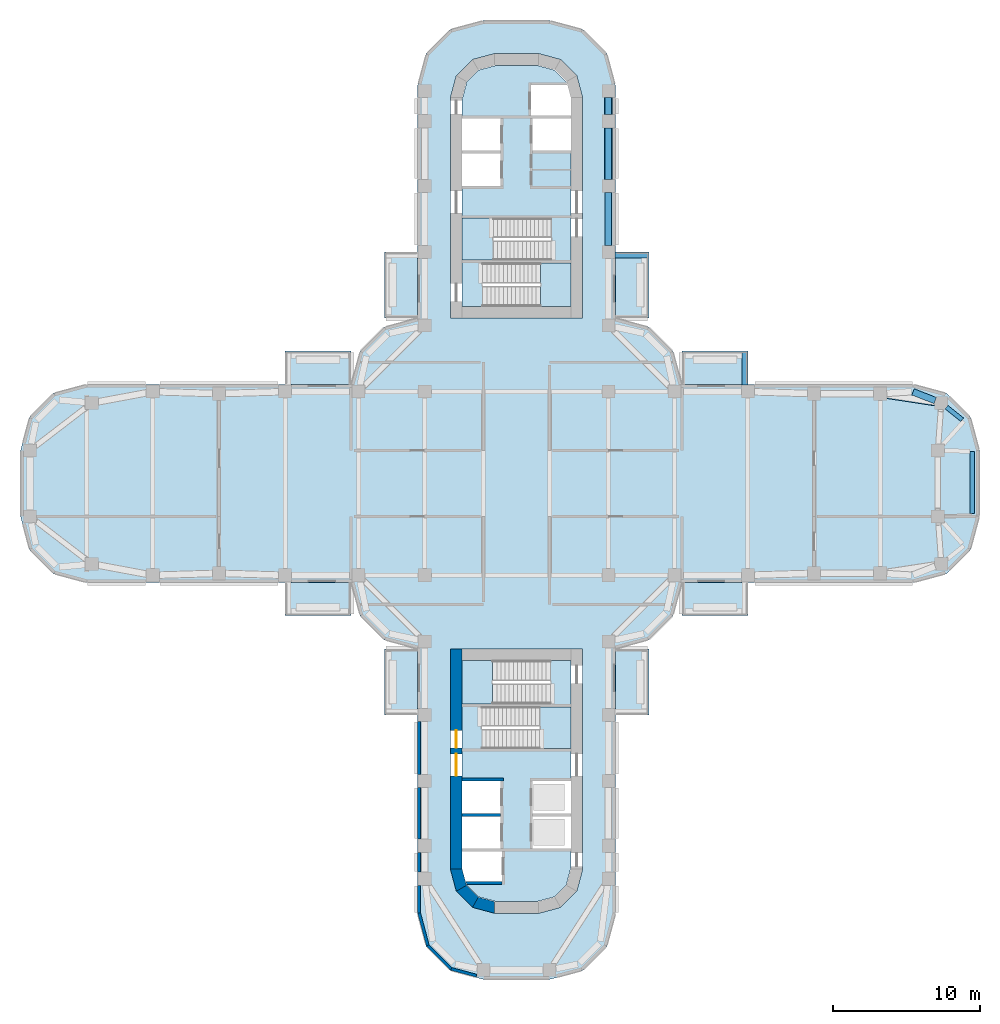
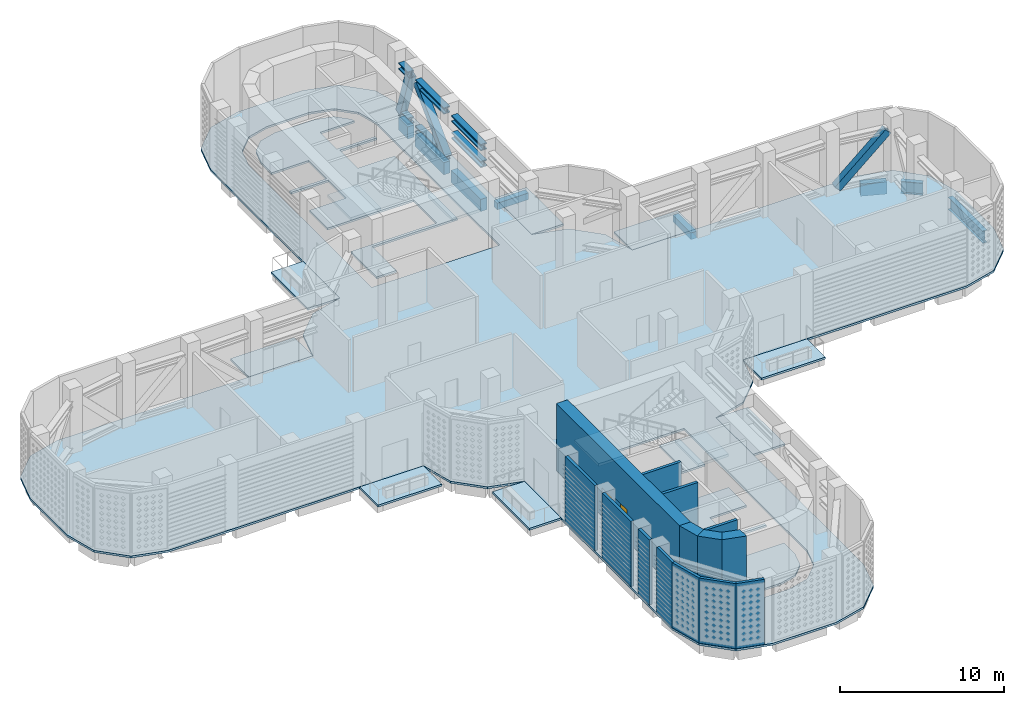
# One storey, part 4 of 20: 15 slabs, 14 walls, 9 members, 8 beams, 2 doors, 2 openings, 4 elements without a shape of their own.
"""IFC4 building model written with IfcOpenShell, lengths in metres."""

from ifc_helpers import new_model, si_unit, direction, frame, frame_2d, origin, origin_2d, place, context, subcontext, project, spatial, polyline, rectangle, hollow_rectangle, i_section, outline, extrude, material, layer, layer_set, material_profile, profile_set, type_object, element, fill, aggregate, save


model = new_model("IFC4")

# Units and contexts
model_context = context("Model", 3, precision=1e-05, world=origin(), true_north=direction((0.0, 1.0)))
body_context = subcontext(model_context, "Body", "Model", "MODEL_VIEW")
ifc_project = project(units=[si_unit("LENGTHUNIT", "METRE"), si_unit("AREAUNIT", "SQUARE_METRE"), si_unit("VOLUMEUNIT", "CUBIC_METRE"), si_unit("PLANEANGLEUNIT", "RADIAN"), si_unit("MASSUNIT", "GRAM", prefix="KILO")], contexts=[model_context])

# Site, building, storey
site_placement = place(None, origin())
site = spatial("IfcSite", under=ifc_project, at=site_placement, CompositionType="ELEMENT")
building_placement = place(site_placement, origin())
building = spatial("IfcBuilding", under=site, at=building_placement, Name="Zarbagh Exchange Tower", CompositionType="ELEMENT")
storey_placement = place(building_placement, frame((0.0, 0.0, 136.0)))
storey = spatial("IfcBuildingStorey", under=building, at=storey_placement, Name="L32", CompositionType="ELEMENT", Elevation=136.0)

# Beams
ifc_material_1 = material(Name="Steel ASTM A992 Gr 50", Category="steel")
ifc_material_profile_1 = material_profile(ifc_material_1, i_section(OverallWidth=0.3046875, OverallDepth=0.911865234375, WebThickness=0.015869140625, FlangeThickness=0.02392578125, at=origin_2d()), Name="W36X150")
ifc_profile_set_1 = profile_set([ifc_material_profile_1], Name="Steel ASTM A992 Gr 50")
beam_type_1 = type_object("IfcBeamType", Name="Floor girder W36X150", PredefinedType="BEAM", material=ifc_profile_set_1)
beam_1_placement = place(storey_placement, frame((29.25927734375, 5.193603515625, -0.60595703125), z_axis=(0.780641570564, -0.624978990293, 0.0), x_axis=(0.624978990293, 0.780641570564, 0.0)))
element("IfcBeam", 1, at=beam_1_placement, inside=storey, type_object=beam_type_1, Name="Steel girder", PredefinedType="BEAM", context=body_context, shape_type="SweptSolid", body=[
    extrude(i_section(OverallWidth=0.3046875, OverallDepth=0.911865234375, WebThickness=0.015869140625, FlangeThickness=0.02392578125, at=origin_2d()), origin(), (0.0, 0.0, 1.0), 1.363037109375),
])
beam_2_placement = place(storey_placement, frame((31.0, 2.18408203125, -0.60595703125), z_axis=(0.0, -1.0, 0.0), x_axis=(1.0, 0.0, 0.0)))
element("IfcBeam", 2, at=beam_2_placement, inside=storey, type_object=beam_type_1, Name="Steel girder", PredefinedType="BEAM", context=body_context, shape_type="SweptSolid", body=[
    extrude(i_section(OverallWidth=0.3046875, OverallDepth=0.911865234375, WebThickness=0.015869140625, FlangeThickness=0.02392578125, at=origin_2d()), origin(), (0.0, 0.0, 1.0), 4.219970703125),
])

# Members
ifc_material_profile_2 = material_profile(ifc_material_1, i_section(OverallWidth=0.4267578125, OverallDepth=0.482666015625, WebThickness=0.05126953125, FlangeThickness=0.08154296875, at=origin_2d()), Name="W14X455")
ifc_profile_set_2 = profile_set([ifc_material_profile_2], Name="Steel ASTM A992 Gr 50")
member_type_1 = type_object("IfcMemberType", Name="Outrigger truss chord W14X455", PredefinedType="CHORD", material=ifc_profile_set_2)
for number, where, z_axis, x_axis, name in (
    (3, (6.25, 26.25, 0.2412109375), (0.0, -1.0, 0.0), (1.0, 0.0, 0.0), "Outrigger truss chord"),
    (4, (6.25, 26.25, 3.688720703125), (0.0, -1.0, 0.0), (1.0, 0.0, 0.0), "Outrigger truss chord"),
):
    element("IfcMember", number, at=place(storey_placement, frame(where, z_axis=z_axis, x_axis=x_axis)), inside=storey, type_object=member_type_1, Name=name, PredefinedType="CHORD", context=body_context, shape_type="SweptSolid", body=[
        extrude(i_section(OverallWidth=0.4267578125, OverallDepth=0.482666015625, WebThickness=0.05126953125, FlangeThickness=0.08154296875, at=origin_2d()), origin(), (0.0, 0.0, 1.0), 1.14990234375),
    ])
for number, where, z_axis, x_axis, name in (
    (5, (6.25, 24.199951171875, 0.2412109375), (0.0, -1.0, 0.0), (1.0, 0.0, 0.0), "Outrigger truss chord"),
    (6, (6.25, 24.199951171875, 3.688720703125), (0.0, -1.0, 0.0), (1.0, 0.0, 0.0), "Outrigger truss chord"),
):
    element("IfcMember", number, at=place(storey_placement, frame(where, z_axis=z_axis, x_axis=x_axis)), inside=storey, type_object=member_type_1, Name=name, PredefinedType="CHORD", context=body_context, shape_type="SweptSolid", body=[
        extrude(i_section(OverallWidth=0.4267578125, OverallDepth=0.482666015625, WebThickness=0.05126953125, FlangeThickness=0.08154296875, at=origin_2d()), origin(), (0.0, 0.0, 1.0), 3.5),
    ])
for number, where, z_axis, x_axis, name in (
    (7, (6.25, 19.800048828125, 2.44140625), (0.0, -1.0, 0.0), (1.0, 0.0, 0.0), "Outrigger truss chord"),
    (8, (6.25, 19.800048828125, 3.688720703125), (0.0, -1.0, 0.0), (1.0, 0.0, 0.0), "Outrigger truss chord"),
):
    element("IfcMember", number, at=place(storey_placement, frame(where, z_axis=z_axis, x_axis=x_axis)), inside=storey, type_object=member_type_1, Name=name, PredefinedType="CHORD", context=body_context, shape_type="SweptSolid", body=[
        extrude(i_section(OverallWidth=0.4267578125, OverallDepth=0.482666015625, WebThickness=0.05126953125, FlangeThickness=0.08154296875, at=origin_2d()), origin(), (0.0, 0.0, 1.0), 3.60009765625),
    ])
ifc_material_2 = material(Name="Steel ASTM A500 Gr C", Category="steel")
ifc_material_profile_3 = material_profile(ifc_material_2, hollow_rectangle(XDim=0.508056640625, YDim=0.508056640625, WallThickness=0.017578125, at=origin_2d()), Name="HSS20X20X3/4")
ifc_profile_set_3 = profile_set([ifc_material_profile_3], Name="Steel ASTM A500 Gr C")
member_type_2 = type_object("IfcMemberType", Name="Outrigger truss diagonal HSS20X20X3/4", PredefinedType="BRACE", material=ifc_profile_set_3)
member_1_placement = place(storey_placement, frame((6.25, 26.25, 0.2412109375), z_axis=(0.0, -0.316409141273, 0.948622820366), x_axis=(1.0, 0.0, 0.0)))
element("IfcMember", 9, at=member_1_placement, inside=storey, type_object=member_type_2, Name="Outrigger truss diagonal", PredefinedType="BRACE", context=body_context, shape_type="SweptSolid", body=[
    extrude(hollow_rectangle(XDim=0.508056640625, YDim=0.508056640625, WallThickness=0.017578125, at=origin_2d()), origin(), (0.0, 0.0, 1.0), 3.63427734375),
])
member_2_placement = place(storey_placement, frame((6.25, 20.699951171875, 0.2412109375), z_axis=(0.0, 0.712428822808, 0.701744378269), x_axis=(-1.0, 0.0, 0.0)))
element("IfcMember", 10, at=member_2_placement, inside=storey, type_object=member_type_2, Name="Outrigger truss diagonal", PredefinedType="BRACE", context=body_context, shape_type="SweptSolid", body=[
    extrude(hollow_rectangle(XDim=0.508056640625, YDim=0.508056640625, WallThickness=0.017578125, at=origin_2d()), origin(), (0.0, 0.0, 1.0), 4.912841796875),
])
member_3_placement = place(storey_placement, frame((25.19482421875, 6.0419921875, 0.2412109375), z_axis=(0.684229257661, -0.104471846019, 0.721745077122), x_axis=(0.150936201252, 0.988543505948, 0.0)))
element("IfcMember", 11, at=member_3_placement, inside=storey, type_object=member_type_2, Name="Outrigger truss diagonal", PredefinedType="BRACE", context=body_context, shape_type="SweptSolid", body=[
    extrude(hollow_rectangle(XDim=0.508056640625, YDim=0.508056640625, WallThickness=0.017578125, at=origin_2d()), origin(), (0.0, 0.0, 1.0), 4.776611328125),
])

# Beams
ifc_material_3 = material(Name="Concrete C40/50", Category="concrete")
ifc_material_profile_4 = material_profile(ifc_material_3, rectangle(XDim=0.39990234375, YDim=0.5, at=origin_2d()), Name="RC cantilever beam 400 x 500 C40/50")
ifc_profile_set_4 = profile_set([ifc_material_profile_4], Name="Concrete C40/50")
beam_type_2 = type_object("IfcBeamType", Name="RC cantilever beam 400 x 500 C40/50", PredefinedType="BEAM", material=ifc_profile_set_4)
for number, where, z_axis, x_axis, name in (
    (12, (6.699951171875, 15.550048828125, -0.39990234375), (1.0, 0.0, 0.0), (0.0, 1.0, 0.0), "RC cantilever beam"),
    (13, (15.550048828125, 6.699951171875, -0.39990234375), (0.0, 1.0, 0.0), (-1.0, 0.0, 0.0), "RC cantilever beam"),
):
    element("IfcBeam", number, at=place(storey_placement, frame(where, z_axis=z_axis, x_axis=x_axis)), inside=storey, type_object=beam_type_2, Name=name, PredefinedType="BEAM", context=body_context, shape_type="SweptSolid", body=[
        extrude(rectangle(XDim=0.39990234375, YDim=0.5, at=origin_2d()), origin(), (0.0, 0.0, 1.0), 2.199951171875),
    ])
ifc_material_4 = material(Name="Concrete C60/75", Category="concrete")
ifc_material_profile_5 = material_profile(ifc_material_4, rectangle(XDim=0.449951171875, YDim=0.89990234375, at=origin_2d()), Name="RC spandrel beam 450 x 900 C60/75")
ifc_profile_set_5 = profile_set([ifc_material_profile_5], Name="Concrete C60/75")
beam_type_3 = type_object("IfcBeamType", Name="RC spandrel beam 450 x 900 C60/75", PredefinedType="SPANDREL", material=ifc_profile_set_5)
beam_3_placement = place(storey_placement, frame((6.25, 26.25, -0.60009765625), z_axis=(0.0, -1.0, 0.0), x_axis=(1.0, 0.0, 0.0)))
element("IfcBeam", 14, at=beam_3_placement, inside=storey, type_object=beam_type_3, Name="RC spandrel beam", PredefinedType="SPANDREL", context=body_context, shape_type="SweptSolid", body=[
    extrude(rectangle(XDim=0.449951171875, YDim=0.89990234375, at=origin_2d()), origin(), (0.0, 0.0, 1.0), 1.14990234375),
])
beam_4_placement = place(storey_placement, frame((6.25, 24.199951171875, -0.60009765625), z_axis=(0.0, -1.0, 0.0), x_axis=(1.0, 0.0, 0.0)))
element("IfcBeam", 15, at=beam_4_placement, inside=storey, type_object=beam_type_3, Name="RC spandrel beam", PredefinedType="SPANDREL", context=body_context, shape_type="SweptSolid", body=[
    extrude(rectangle(XDim=0.449951171875, YDim=0.89990234375, at=origin_2d()), origin(), (0.0, 0.0, 1.0), 3.5),
])
beam_5_placement = place(storey_placement, frame((6.25, 19.800048828125, -0.60009765625), z_axis=(0.0, -1.0, 0.0), x_axis=(1.0, 0.0, 0.0)))
element("IfcBeam", 16, at=beam_5_placement, inside=storey, type_object=beam_type_3, Name="RC spandrel beam", PredefinedType="SPANDREL", context=body_context, shape_type="SweptSolid", body=[
    extrude(rectangle(XDim=0.449951171875, YDim=0.89990234375, at=origin_2d()), origin(), (0.0, 0.0, 1.0), 3.60009765625),
])
beam_6_placement = place(storey_placement, frame((26.980712890625, 6.231689453125, -0.60009765625), z_axis=(0.930806421439, -0.365512524832, 0.0), x_axis=(0.365512524832, 0.930806421439, 0.0)))
element("IfcBeam", 17, at=beam_6_placement, inside=storey, type_object=beam_type_3, Name="RC spandrel beam", PredefinedType="SPANDREL", context=body_context, shape_type="SweptSolid", body=[
    extrude(rectangle(XDim=0.449951171875, YDim=0.89990234375, at=origin_2d()), origin(), (0.0, 0.0, 1.0), 1.620361328125),
])

# Slabs
ifc_layer_1 = layer(ifc_material_3, 0.14990234375)
ifc_layer_set_1 = layer_set([ifc_layer_1], Name="Composite floor slab 150 C40/50")
slab_type_1 = type_object("IfcSlabType", Name="Composite floor slab 150 C40/50", PredefinedType="FLOOR", material=ifc_layer_set_1)
slab_1_placement = place(storey_placement, frame((0.0, 0.0, -0.14990234375)))
element("IfcSlab", 18, at=slab_1_placement, inside=storey, type_object=slab_type_1, Name="S5 composite floor slab", PredefinedType="FLOOR", context=body_context, shape_type="SweptSolid", body=[
    extrude(outline(polyline([(-2.25, -33.75), (-4.5, -33.147216796875), (-6.147216796875, -31.5), (-6.75, -29.25), (-6.75, -11.25), (-9.0, -10.647216796875), (-10.647216796875, -9.0), (-11.25, -6.75), (-29.25, -6.75), (-31.5, -6.147216796875), (-33.147216796875, -4.5), (-33.75, -2.25), (-33.75, 2.25), (-33.147216796875, 4.5), (-31.5, 6.147216796875), (-29.25, 6.75), (-11.25, 6.75), (-10.647216796875, 9.0), (-9.0, 10.647216796875), (-6.75, 11.25), (-6.75, 27.0), (-6.147216796875, 29.25), (-4.5, 30.897216796875), (-2.25, 31.5), (2.25, 31.5), (4.5, 30.897216796875), (6.147216796875, 29.25), (6.75, 27.0), (6.75, 11.25), (9.0, 10.647216796875), (10.647216796875, 9.0), (11.25, 6.75), (27.0, 6.75), (29.25, 6.147216796875), (30.897216796875, 4.5), (31.5, 2.25), (31.5, -2.25), (30.897216796875, -4.5), (29.25, -6.147216796875), (27.0, -6.75), (11.25, -6.75), (10.647216796875, -9.0), (9.0, -10.647216796875), (6.75, -11.25), (6.75, -29.25), (6.147216796875, -31.5), (4.5, -33.147216796875), (2.25, -33.75), (-2.25, -33.75)]), holes=[polyline([(4.5, 11.25), (4.5, 26.25), (4.09814453125, 27.75), (3.0, 28.84814453125), (1.5, 29.25), (-1.5, 29.25), (-3.0, 28.84814453125), (-4.09814453125, 27.75), (-4.5, 26.25), (-4.5, 11.25), (4.5, 11.25)]), polyline([(-1.5, -29.25), (1.5, -29.25), (3.0, -28.84814453125), (4.09814453125, -27.75), (4.5, -26.25), (4.5, -11.25), (-4.5, -11.25), (-4.5, -26.25), (-4.09814453125, -27.75), (-3.0, -28.84814453125), (-1.5, -29.25)])]), origin(), (0.0, 0.0, 1.0), 0.14990234375),
])
ifc_layer_2 = layer(ifc_material_3, 0.14990234375)
ifc_layer_set_2 = layer_set([ifc_layer_2], Name="Core floor slab 150 C40/50")
slab_type_2 = type_object("IfcSlabType", Name="Core floor slab 150 C40/50", PredefinedType="FLOOR", material=ifc_layer_set_2)
slab_2_placement = place(storey_placement, frame((0.0, 0.0, -0.14990234375)))
element("IfcSlab", 19, at=slab_2_placement, inside=storey, type_object=slab_type_2, Name="S17 core N", PredefinedType="FLOOR", context=body_context, shape_type="SweptSolid", body=[
    extrude(outline(polyline([(-3.699951171875, 12.050048828125), (-3.699951171875, 15.199951171875), (2.35009765625, 15.199951171875), (2.35009765625, 18.050048828125), (-3.699951171875, 18.050048828125), (-3.699951171875, 20.25), (-1.10009765625, 20.25), (-1.10009765625, 22.449951171875), (-3.699951171875, 22.449951171875), (-3.699951171875, 22.64990234375), (-1.10009765625, 22.64990234375), (-1.10009765625, 24.85009765625), (-3.699951171875, 24.85009765625), (-3.699951171875, 26.144775390625), (-3.380859375, 27.3359375), (-2.5859375, 28.130859375), (-1.394775390625, 28.449951171875), (1.394775390625, 28.449951171875), (2.5859375, 28.130859375), (3.380859375, 27.3359375), (3.646484375, 26.3447265625), (3.444091796875, 27.10009765625), (1.0, 27.10009765625), (1.0, 25.050048828125), (3.699951171875, 25.050048828125), (3.699951171875, 24.85009765625), (1.10009765625, 24.85009765625), (1.10009765625, 22.64990234375), (3.699951171875, 22.64990234375), (3.699951171875, 15.0), (-2.300048828125, 15.0), (-2.300048828125, 12.050048828125), (-3.699951171875, 12.050048828125)])), origin(), (0.0, 0.0, 1.0), 0.14990234375),
])
slab_3_placement = place(storey_placement, frame((0.0, 0.0, -0.14990234375)))
element("IfcSlab", 20, at=slab_3_placement, inside=storey, type_object=slab_type_2, Name="S17 core S", PredefinedType="FLOOR", context=body_context, shape_type="SweptSolid", body=[
    extrude(outline(polyline([(-2.5859375, -28.130859375), (-3.380859375, -27.3359375), (-3.646484375, -26.3447265625), (-3.444091796875, -27.10009765625), (-1.0, -27.10009765625), (-1.0, -25.050048828125), (-3.699951171875, -25.050048828125), (-3.699951171875, -24.85009765625), (-1.10009765625, -24.85009765625), (-1.10009765625, -22.64990234375), (-3.699951171875, -22.64990234375), (-3.699951171875, -22.449951171875), (-1.10009765625, -22.449951171875), (-1.10009765625, -20.25), (-3.699951171875, -20.25), (-3.699951171875, -15.0), (2.300048828125, -15.0), (2.300048828125, -12.050048828125), (3.699951171875, -12.050048828125), (3.699951171875, -15.199951171875), (-2.35009765625, -15.199951171875), (-2.35009765625, -18.050048828125), (3.699951171875, -18.050048828125), (3.699951171875, -20.25), (1.10009765625, -20.25), (1.10009765625, -22.449951171875), (3.699951171875, -22.449951171875), (3.699951171875, -22.64990234375), (1.10009765625, -22.64990234375), (1.10009765625, -24.85009765625), (3.699951171875, -24.85009765625), (3.699951171875, -26.144775390625), (3.380859375, -27.3359375), (2.5859375, -28.130859375), (1.394775390625, -28.449951171875), (-1.394775390625, -28.449951171875), (-2.5859375, -28.130859375)])), origin(), (0.0, 0.0, 1.0), 0.14990234375),
])

# Stair, slab
stair_type = type_object("IfcStairType", Name="Exit stair two-flight half-turn", PredefinedType="HALF_TURN_STAIR", material=ifc_material_3)
stair_1_placement = place(storey_placement, origin())
stair_1 = element("IfcStair", 21, at=stair_1_placement, inside=storey, type_object=stair_type, Name="exit stair ST1", PredefinedType="HALF_TURN_STAIR")
ifc_layer_3 = layer(ifc_material_3, 0.199951171875)
ifc_layer_set_3 = layer_set([ifc_layer_3], Name="Stair landing 200 mm")
slab_type_3 = type_object("IfcSlabType", Name="Stair landing 200 mm", PredefinedType="LANDING", material=ifc_layer_set_3)
slab_4_placement = place(storey_placement, frame((0.0, 0.0, 2.300048828125)))
slab_4 = element("IfcSlab", 22, at=slab_4_placement, type_object=slab_type_3, Name="ST1 landing 1", PredefinedType="LANDING", context=body_context, shape_type="SweptSolid", body=[
    extrude(outline(polyline([(-1.570068359375, 18.050048828125), (-3.699951171875, 18.050048828125), (-3.699951171875, 15.199951171875), (-1.570068359375, 15.199951171875), (-1.570068359375, 18.050048828125)])), origin(), (0.0, 0.0, 1.0), 0.199951171875),
])
aggregate(stair_1, [slab_4])

stair_2_placement = place(storey_placement, origin())
stair_2 = element("IfcStair", 23, at=stair_2_placement, inside=storey, type_object=stair_type, Name="exit stair ST2", PredefinedType="HALF_TURN_STAIR")
slab_5_placement = place(storey_placement, frame((0.0, 0.0, 2.300048828125)))
slab_5 = element("IfcSlab", 24, at=slab_5_placement, type_object=slab_type_3, Name="ST2 landing 1", PredefinedType="LANDING", context=body_context, shape_type="SweptSolid", body=[
    extrude(outline(polyline([(1.6201171875, 12.050048828125), (3.699951171875, 12.050048828125), (3.699951171875, 15.0), (1.6201171875, 15.0), (1.6201171875, 12.050048828125)])), origin(), (0.0, 0.0, 1.0), 0.199951171875),
])
aggregate(stair_2, [slab_5])

stair_3_placement = place(storey_placement, origin())
stair_3 = element("IfcStair", 25, at=stair_3_placement, inside=storey, type_object=stair_type, Name="exit stair ST3", PredefinedType="HALF_TURN_STAIR")
slab_6_placement = place(storey_placement, frame((0.0, 0.0, 2.300048828125)))
slab_6 = element("IfcSlab", 26, at=slab_6_placement, type_object=slab_type_3, Name="ST3 landing 1", PredefinedType="LANDING", context=body_context, shape_type="SweptSolid", body=[
    extrude(outline(polyline([(1.570068359375, -18.050048828125), (3.699951171875, -18.050048828125), (3.699951171875, -15.199951171875), (1.570068359375, -15.199951171875), (1.570068359375, -18.050048828125)])), origin(), (0.0, 0.0, 1.0), 0.199951171875),
])
aggregate(stair_3, [slab_6])

stair_4_placement = place(storey_placement, origin())
stair_4 = element("IfcStair", 27, at=stair_4_placement, inside=storey, type_object=stair_type, Name="exit stair ST4", PredefinedType="HALF_TURN_STAIR")
slab_7_placement = place(storey_placement, frame((0.0, 0.0, 2.300048828125)))
slab_7 = element("IfcSlab", 28, at=slab_7_placement, type_object=slab_type_3, Name="ST4 landing 1", PredefinedType="LANDING", context=body_context, shape_type="SweptSolid", body=[
    extrude(outline(polyline([(-1.6201171875, -12.050048828125), (-3.699951171875, -12.050048828125), (-3.699951171875, -15.0), (-1.6201171875, -15.0), (-1.6201171875, -12.050048828125)])), origin(), (0.0, 0.0, 1.0), 0.199951171875),
])
aggregate(stair_4, [slab_7])

# Slabs
ifc_layer_4 = layer(ifc_material_3, 0.14990234375)
ifc_layer_set_4 = layer_set([ifc_layer_4], Name="Winter garden terrace slab 150 C40/50")
slab_type_4 = type_object("IfcSlabType", Name="Winter garden terrace slab 150 C40/50", PredefinedType="USERDEFINED", material=ifc_layer_set_4)
slab_8_placement = place(storey_placement, frame((0.0, 0.0, -0.14990234375)))
element("IfcSlab", 29, at=slab_8_placement, inside=storey, type_object=slab_type_4, Name="S9 winter garden terrace slab", ObjectType="Winter garden slab", PredefinedType="USERDEFINED", context=body_context, shape_type="SweptSolid", body=[
    extrude(outline(polyline([(9.0, 11.25), (9.0, 15.75), (6.75, 15.75), (6.75, 11.25), (9.0, 11.25)])), origin(), (0.0, 0.0, 1.0), 0.14990234375),
])
slab_9_placement = place(storey_placement, frame((0.0, 0.0, -0.14990234375)))
element("IfcSlab", 30, at=slab_9_placement, inside=storey, type_object=slab_type_4, Name="S9 winter garden terrace slab", ObjectType="Winter garden slab", PredefinedType="USERDEFINED", context=body_context, shape_type="SweptSolid", body=[
    extrude(outline(polyline([(15.75, 6.75), (15.75, 9.0), (11.25, 9.0), (11.25, 6.75), (15.75, 6.75)])), origin(), (0.0, 0.0, 1.0), 0.14990234375),
])
slab_10_placement = place(storey_placement, frame((0.0, 0.0, -0.14990234375)))
element("IfcSlab", 31, at=slab_10_placement, inside=storey, type_object=slab_type_4, Name="S9 winter garden terrace slab", ObjectType="Winter garden slab", PredefinedType="USERDEFINED", context=body_context, shape_type="SweptSolid", body=[
    extrude(outline(polyline([(9.0, -15.75), (9.0, -11.25), (6.75, -11.25), (6.75, -15.75), (9.0, -15.75)])), origin(), (0.0, 0.0, 1.0), 0.14990234375),
])
slab_11_placement = place(storey_placement, frame((0.0, 0.0, -0.14990234375)))
element("IfcSlab", 32, at=slab_11_placement, inside=storey, type_object=slab_type_4, Name="S9 winter garden terrace slab", ObjectType="Winter garden slab", PredefinedType="USERDEFINED", context=body_context, shape_type="SweptSolid", body=[
    extrude(outline(polyline([(15.75, -9.0), (15.75, -6.75), (11.25, -6.75), (11.25, -9.0), (15.75, -9.0)])), origin(), (0.0, 0.0, 1.0), 0.14990234375),
])
slab_12_placement = place(storey_placement, frame((0.0, 0.0, -0.14990234375)))
element("IfcSlab", 33, at=slab_12_placement, inside=storey, type_object=slab_type_4, Name="S9 winter garden terrace slab", ObjectType="Winter garden slab", PredefinedType="USERDEFINED", context=body_context, shape_type="SweptSolid", body=[
    extrude(outline(polyline([(-6.75, 11.25), (-6.75, 15.75), (-9.0, 15.75), (-9.0, 11.25), (-6.75, 11.25)])), origin(), (0.0, 0.0, 1.0), 0.14990234375),
])
slab_13_placement = place(storey_placement, frame((0.0, 0.0, -0.14990234375)))
element("IfcSlab", 34, at=slab_13_placement, inside=storey, type_object=slab_type_4, Name="S9 winter garden terrace slab", ObjectType="Winter garden slab", PredefinedType="USERDEFINED", context=body_context, shape_type="SweptSolid", body=[
    extrude(outline(polyline([(-11.25, 6.75), (-11.25, 9.0), (-15.75, 9.0), (-15.75, 6.75), (-11.25, 6.75)])), origin(), (0.0, 0.0, 1.0), 0.14990234375),
])
slab_14_placement = place(storey_placement, frame((0.0, 0.0, -0.14990234375)))
element("IfcSlab", 35, at=slab_14_placement, inside=storey, type_object=slab_type_4, Name="S9 winter garden terrace slab", ObjectType="Winter garden slab", PredefinedType="USERDEFINED", context=body_context, shape_type="SweptSolid", body=[
    extrude(outline(polyline([(-6.75, -15.75), (-6.75, -11.25), (-9.0, -11.25), (-9.0, -15.75), (-6.75, -15.75)])), origin(), (0.0, 0.0, 1.0), 0.14990234375),
])
slab_15_placement = place(storey_placement, frame((0.0, 0.0, -0.14990234375)))
element("IfcSlab", 36, at=slab_15_placement, inside=storey, type_object=slab_type_4, Name="S9 winter garden terrace slab", ObjectType="Winter garden slab", PredefinedType="USERDEFINED", context=body_context, shape_type="SweptSolid", body=[
    extrude(outline(polyline([(-11.25, -9.0), (-11.25, -6.75), (-15.75, -6.75), (-15.75, -9.0), (-11.25, -9.0)])), origin(), (0.0, 0.0, 1.0), 0.14990234375),
])

# Walls
ifc_material_5 = material(Name="Precast concrete C50/60", Category="concrete")
ifc_layer_5 = layer(ifc_material_5, 0.199951171875)
ifc_layer_set_5 = layer_set([ifc_layer_5], Name="Plant wall, precast concrete C50/60")
wall_type_1 = type_object("IfcWallType", Name="Plant wall, precast concrete C50/60", PredefinedType="SOLIDWALL", material=ifc_layer_set_5)
wall_1_placement = place(storey_placement, origin())
element("IfcWall", 37, at=wall_1_placement, inside=storey, type_object=wall_type_1, Name="PW44 plant wall", PredefinedType="SOLIDWALL", context=body_context, shape_type="SweptSolid", body=[
    extrude(outline(polyline([(-6.72998046875, -16.199951171875), (-6.72998046875, -19.800048828125), (-6.530029296875, -19.800048828125), (-6.530029296875, -16.199951171875), (-6.72998046875, -16.199951171875)])), origin(), (0.0, 0.0, 1.0), 4.85009765625),
])
wall_2_placement = place(storey_placement, origin())
element("IfcWall", 38, at=wall_2_placement, inside=storey, type_object=wall_type_1, Name="PW44 plant wall", PredefinedType="SOLIDWALL", context=body_context, shape_type="SweptSolid", body=[
    extrude(outline(polyline([(-6.72998046875, -20.699951171875), (-6.72998046875, -24.199951171875), (-6.530029296875, -24.199951171875), (-6.530029296875, -20.699951171875), (-6.72998046875, -20.699951171875)])), origin(), (0.0, 0.0, 1.0), 4.85009765625),
])
wall_3_placement = place(storey_placement, origin())
element("IfcWall", 39, at=wall_3_placement, inside=storey, type_object=wall_type_1, Name="PW44 plant wall", PredefinedType="SOLIDWALL", context=body_context, shape_type="SweptSolid", body=[
    extrude(outline(polyline([(-6.72998046875, -25.10009765625), (-6.72998046875, -26.449951171875), (-6.530029296875, -26.449951171875), (-6.530029296875, -25.10009765625), (-6.72998046875, -25.10009765625)])), origin(), (0.0, 0.0, 1.0), 4.85009765625),
])
wall_4_placement = place(storey_placement, origin())
element("IfcWall", 40, at=wall_4_placement, inside=storey, type_object=wall_type_1, Name="PW44 plant wall", PredefinedType="SOLIDWALL", context=body_context, shape_type="SweptSolid", body=[
    extrude(outline(polyline([(-6.72998046875, -27.35009765625), (-6.72998046875, -29.247314453125), (-6.530029296875, -29.220947265625), (-6.530029296875, -27.35009765625), (-6.72998046875, -27.35009765625)])), origin(), (0.0, 0.0, 1.0), 4.85009765625),
])
wall_5_placement = place(storey_placement, origin())
element("IfcWall", 41, at=wall_5_placement, inside=storey, type_object=wall_type_1, Name="PW45 plant wall", PredefinedType="SOLIDWALL", context=body_context, shape_type="SweptSolid", body=[
    extrude(outline(polyline([(-6.72998046875, -29.247314453125), (-6.129150390625, -31.48974609375), (-5.949951171875, -31.38623046875), (-6.530029296875, -29.220947265625), (-6.72998046875, -29.247314453125)])), origin(), (0.0, 0.0, 1.0), 4.85009765625),
])
wall_6_placement = place(storey_placement, origin())
element("IfcWall", 42, at=wall_6_placement, inside=storey, type_object=wall_type_1, Name="PW46 plant wall", PredefinedType="SOLIDWALL", context=body_context, shape_type="SweptSolid", body=[
    extrude(outline(polyline([(-6.129150390625, -31.48974609375), (-4.48974609375, -33.129150390625), (-4.38623046875, -32.949951171875), (-5.949951171875, -31.38623046875), (-6.129150390625, -31.48974609375)])), origin(), (0.0, 0.0, 1.0), 4.85009765625),
])
wall_7_placement = place(storey_placement, origin())
element("IfcWall", 43, at=wall_7_placement, inside=storey, type_object=wall_type_1, Name="PW47 plant wall", PredefinedType="SOLIDWALL", context=body_context, shape_type="SweptSolid", body=[
    extrude(outline(polyline([(-4.48974609375, -33.129150390625), (-2.75244140625, -33.5947265625), (-2.70068359375, -33.401611328125), (-4.38623046875, -32.949951171875), (-4.48974609375, -33.129150390625)])), origin(), (0.0, 0.0, 1.0), 4.85009765625),
])
ifc_layer_6 = layer(ifc_material_4, 0.800048828125)
ifc_layer_set_6 = layer_set([ifc_layer_6], Name="RC core corner wall 800 C60/75")
wall_type_2 = type_object("IfcWallType", Name="RC core corner wall 800 C60/75", PredefinedType="SHEAR", material=ifc_layer_set_6)
wall_8_placement = place(storey_placement, origin())
element("IfcWall", 44, at=wall_8_placement, inside=storey, type_object=wall_type_2, Name="CW4 core S corner W", PredefinedType="SHEAR", context=body_context, shape_type="SweptSolid", body=[
    extrude(outline(polyline([(-4.5, -26.25), (-4.09814453125, -27.75), (-3.4052734375, -27.35009765625), (-3.699951171875, -26.25), (-4.5, -26.25)])), origin(), (0.0, 0.0, 1.0), 5.0),
])
wall_9_placement = place(storey_placement, origin())
element("IfcWall", 45, at=wall_9_placement, inside=storey, type_object=wall_type_2, Name="CW4 core S corner W", PredefinedType="SHEAR", context=body_context, shape_type="SweptSolid", body=[
    extrude(outline(polyline([(-4.09814453125, -27.75), (-3.0, -28.84814453125), (-2.60009765625, -28.1552734375), (-3.4052734375, -27.35009765625), (-4.09814453125, -27.75)])), origin(), (0.0, 0.0, 1.0), 5.0),
])
wall_10_placement = place(storey_placement, origin())
element("IfcWall", 46, at=wall_10_placement, inside=storey, type_object=wall_type_2, Name="CW4 core S corner W", PredefinedType="SHEAR", context=body_context, shape_type="SweptSolid", body=[
    extrude(outline(polyline([(-3.0, -28.84814453125), (-1.5, -29.25), (-1.5, -28.449951171875), (-2.60009765625, -28.1552734375), (-3.0, -28.84814453125)])), origin(), (0.0, 0.0, 1.0), 5.0),
])

# Wall, openings, doors
ifc_layer_7 = layer(ifc_material_4, 0.800048828125)
ifc_layer_set_7 = layer_set([ifc_layer_7], Name="RC core wall 800 C60/75")
wall_type_3 = type_object("IfcWallType", Name="RC core wall 800 C60/75", PredefinedType="SHEAR", material=ifc_layer_set_7)
wall_11_placement = place(storey_placement, frame((-4.10009765625, -11.25, 0.0), z_axis=(0.0, 0.0, 1.0), x_axis=(0.0, -1.0, 0.0)))
wall_11 = element("IfcWall", 47, at=wall_11_placement, inside=storey, type_object=wall_type_3, Name="CW3 core S W", PredefinedType="SHEAR", context=body_context, shape_type="SweptSolid", body=[
    extrude(rectangle(XDim=15.0, YDim=0.800048828125, at=frame_2d((7.5, 0.0))), origin(), (0.0, 0.0, 1.0), 5.0),
])
opening_1_placement = place(wall_11_placement, frame((7.14990234375, 0.0, 0.0)))
opening_1 = element("IfcOpeningElement", 48, at=opening_1_placement, cuts=wall_11, Name="Opening CD1-1500", PredefinedType="OPENING", context=body_context, shape_type="SweptSolid", body=[
    extrude(rectangle(XDim=1.5, YDim=2.300048828125, at=frame_2d((0.75, 1.14990234375))), frame((0.0, 0.409912109375, 0.0), z_axis=(0.0, -1.0, 0.0), x_axis=(1.0, 0.0, 0.0)), (0.0, 0.0, 1.0), 0.820068359375),
])
opening_2_placement = place(wall_11_placement, frame((5.550048828125, 0.0, 0.0)))
opening_2 = element("IfcOpeningElement", 49, at=opening_2_placement, cuts=wall_11, Name="Opening SD1-1200", PredefinedType="OPENING", context=body_context, shape_type="SweptSolid", body=[
    extrude(rectangle(XDim=1.199951171875, YDim=2.10009765625, at=frame_2d((0.60009765625, 1.050048828125))), frame((0.0, 0.409912109375, 0.0), z_axis=(0.0, -1.0, 0.0), x_axis=(1.0, 0.0, 0.0)), (0.0, 0.0, 1.0), 0.820068359375),
])
ifc_material_6 = material(Name="Steel", Category="steel")
door_type_1 = type_object("IfcDoorType", Name="Exit stair door 1200 x 2100", OperationType="NOTDEFINED", PredefinedType="DOOR", material=ifc_material_6)
door_1_placement = place(opening_2_placement, origin())
door_1 = element("IfcDoor", 50, at=door_1_placement, inside=storey, type_object=door_type_1, Name="South core stair door ST1", OperationType="SINGLE_SWING_LEFT", OverallHeight=2.10009765625, OverallWidth=1.199951171875, PredefinedType="DOOR", context=body_context, shape_type="SweptSolid", body=[
    extrude(rectangle(XDim=1.199951171875, YDim=2.10009765625, at=frame_2d((0.60009765625, 1.050048828125))), frame((0.0, 0.02490234375, 0.0), z_axis=(0.0, -1.0, 0.0), x_axis=(1.0, 0.0, 0.0)), (0.0, 0.0, 1.0), 0.050048828125),
])
fill(opening_2, door_1)
door_type_2 = type_object("IfcDoorType", Name="Lift lobby double door 1500 x 2300", OperationType="NOTDEFINED", PredefinedType="DOOR", material=ifc_material_6)
door_2_placement = place(opening_1_placement, origin())
door_2 = element("IfcDoor", 51, at=door_2_placement, inside=storey, type_object=door_type_2, Name="South core lift lobby door LOBBY-E", OperationType="DOUBLE_DOOR_SINGLE_SWING", OverallHeight=2.300048828125, OverallWidth=1.5, PredefinedType="DOOR", context=body_context, shape_type="SweptSolid", body=[
    extrude(rectangle(XDim=1.5, YDim=2.300048828125, at=frame_2d((0.75, 1.14990234375))), frame((0.0, 0.02490234375, 0.0), z_axis=(0.0, -1.0, 0.0), x_axis=(1.0, 0.0, 0.0)), (0.0, 0.0, 1.0), 0.050048828125),
])
fill(opening_1, door_2)

# Walls
ifc_material_7 = material(Name="Dense blockwork", Category="masonry")
ifc_layer_8 = layer(ifc_material_7, 0.199951171875)
ifc_layer_set_8 = layer_set([ifc_layer_8], Name="Shaft wall 200 mm blockwork")
wall_type_4 = type_object("IfcWallType", Name="Shaft wall 200 mm blockwork", PredefinedType="PARTITIONING", material=ifc_layer_set_8)
wall_12_placement = place(storey_placement, frame((-0.89990234375, -20.14990234375, 0.0), z_axis=(0.0, 0.0, 1.0), x_axis=(-1.0, 0.0, 0.0)))
element("IfcWall", 52, at=wall_12_placement, inside=storey, type_object=wall_type_4, Name="South core shaft wall AB-E", PredefinedType="PARTITIONING", context=body_context, shape_type="SweptSolid", body=[
    extrude(rectangle(XDim=2.800048828125, YDim=0.199951171875, at=frame_2d((1.39990234375, 0.0))), origin(), (0.0, 0.0, 1.0), 4.85009765625),
])
wall_13_placement = place(storey_placement, frame((-1.10009765625, -22.550048828125, 0.0), z_axis=(0.0, 0.0, 1.0), x_axis=(-1.0, 0.0, 0.0)))
element("IfcWall", 53, at=wall_13_placement, inside=storey, type_object=wall_type_4, Name="South core shaft wall TR-E", PredefinedType="PARTITIONING", context=body_context, shape_type="SweptSolid", body=[
    extrude(rectangle(XDim=2.599853515625, YDim=0.199951171875, at=frame_2d((1.2998046875, 0.0))), origin(), (0.0, 0.0, 1.0), 4.85009765625),
])
ifc_layer_9 = layer(ifc_material_3, 0.199951171875)
ifc_layer_set_9 = layer_set([ifc_layer_9], Name="Stair enclosure wall 200 mm RC C40/50")
wall_type_5 = type_object("IfcWallType", Name="Stair enclosure wall 200 mm RC C40/50", PredefinedType="SHEAR", material=ifc_layer_set_9)
wall_14_placement = place(storey_placement, origin())
element("IfcWall", 54, at=wall_14_placement, inside=storey, type_object=wall_type_5, Name="South core lift shaft wall FFX", PredefinedType="SHEAR", context=body_context, shape_type="SweptSolid", body=[
    extrude(outline(polyline([(-1.0, -27.10009765625), (-3.444091796875, -27.10009765625), (-3.390380859375, -27.300048828125), (-1.0, -27.300048828125), (-1.0, -27.10009765625)])), origin(), (0.0, 0.0, 1.0), 4.85009765625),
])

save(model, "model.ifc")
